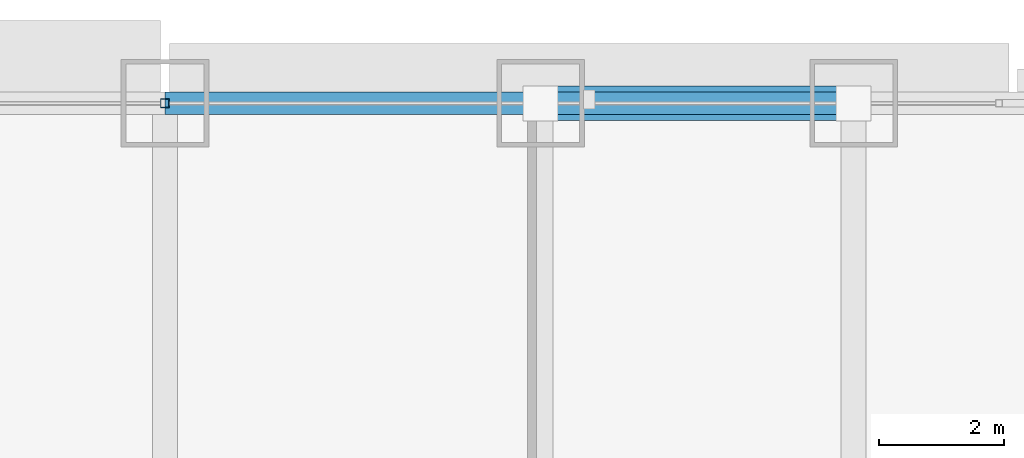
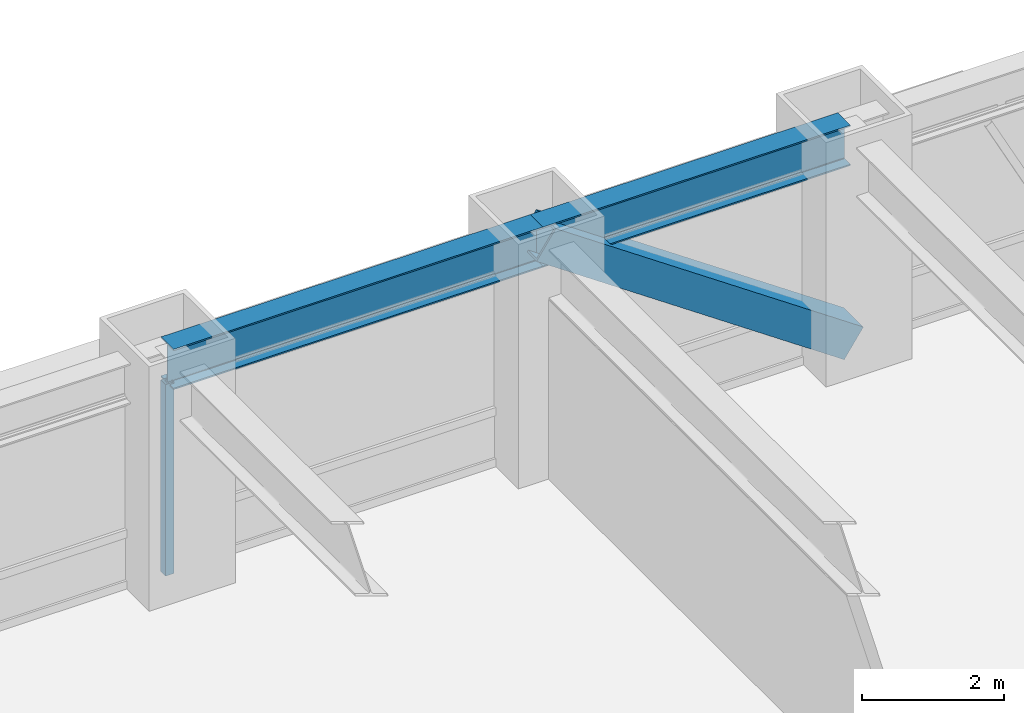
# One storey, part 19 of 32: 2 beams, 2 members, 1 element without a shape of its own.
"""IFC4 building model written with IfcOpenShell, lengths in metres."""

from ifc_helpers import new_model, si_unit, direction, frame, origin, origin_2d, place, context, subcontext, project, spatial, hollow_rectangle, i_section, extrude, source, transform, mapped, material, material_profile, profile_set, type_object, element, aggregate, save


model = new_model("IFC4")

# Units and contexts
model_context = context("Model", 3, precision=1e-05, world=origin(), true_north=direction((0.0, 1.0)))
body_context = subcontext(model_context, "Body", "Model", "MODEL_VIEW")
ifc_project = project(units=[si_unit("LENGTHUNIT", "METRE"), si_unit("AREAUNIT", "SQUARE_METRE"), si_unit("VOLUMEUNIT", "CUBIC_METRE"), si_unit("PLANEANGLEUNIT", "RADIAN"), si_unit("MASSUNIT", "GRAM", prefix="KILO")], contexts=[model_context])

# Site, building, storey
site_placement = place(None, origin())
site = spatial("IfcSite", under=ifc_project, at=site_placement, CompositionType="ELEMENT")
building_placement = place(site_placement, origin())
building = spatial("IfcBuilding", under=site, at=building_placement, Name="Khorayat Bourse Tower", CompositionType="ELEMENT")
storey_placement = place(building_placement, frame((0.0, 0.0, 70.39990234375)))
storey = spatial("IfcBuildingStorey", under=building, at=storey_placement, Name="L15", CompositionType="ELEMENT", Elevation=70.39990234375)

# Beams
ifc_material_1 = material(Name="Steel ASTM A992 Grade 50", Category="steel")
ifc_material_profile_1 = material_profile(ifc_material_1, i_section(OverallWidth=0.35498046875, OverallDepth=0.695068359375, WebThickness=0.015380859375, FlangeThickness=0.02490234375, FilletRadius=0.01806640625, at=origin_2d()), Name="W690X217")
ifc_profile_set_1 = profile_set([ifc_material_profile_1], Name="Steel ASTM A992 Grade 50")
beam_type = type_object("IfcBeamType", Name="BM-SPAN-690", PredefinedType="SPANDREL", material=ifc_profile_set_1)
shared_shape_1 = source(origin(), body_context, "Body", "SweptSolid", [
    extrude(i_section(OverallWidth=0.35498046875, OverallDepth=0.695068359375, WebThickness=0.015380859375, FlangeThickness=0.02490234375, FilletRadius=0.01806640625, at=origin_2d()), origin(), (0.0, 0.0, 1.0), 5.0),
])
beam_1_placement = place(storey_placement, frame((6.0, 32.0, 3.592529296875), z_axis=(1.0, 0.0, 0.0), x_axis=(0.0, 1.0, 0.0)))
element("IfcBeam", 1, at=beam_1_placement, inside=storey, type_object=beam_type, Name="L15 BM-SPAN-690 BM-L15-SPN-046", PredefinedType="SPANDREL", context=body_context, shape_type="MappedRepresentation", body=[
    mapped(shared_shape_1, transform((0.0, 0.0, 0.0), scale=1.0)),
])
shared_shape_2 = source(origin(), body_context, "Body", "SweptSolid", [
    extrude(i_section(OverallWidth=0.35498046875, OverallDepth=0.695068359375, WebThickness=0.015380859375, FlangeThickness=0.02490234375, FilletRadius=0.01806640625, at=origin_2d()), origin(), (0.0, 0.0, 1.0), 6.0),
])
beam_2_placement = place(storey_placement, frame((0.0, 32.0, 3.592529296875), z_axis=(1.0, 0.0, 0.0), x_axis=(0.0, 1.0, 0.0)))
element("IfcBeam", 2, at=beam_2_placement, inside=storey, type_object=beam_type, Name="L15 BM-SPAN-690 BM-L15-SPN-047", PredefinedType="SPANDREL", context=body_context, shape_type="MappedRepresentation", body=[
    mapped(shared_shape_2, transform((0.0, 0.0, 0.0), scale=1.0)),
])

# Member
ifc_material_2 = material(Name="Steel EN 10025-4 S460M", Category="steel")
ifc_material_profile_2 = material_profile(ifc_material_2, hollow_rectangle(XDim=0.550048828125, YDim=0.550048828125, WallThickness=0.031982421875, at=origin_2d()), Name="HSS 550x550x32")
ifc_profile_set_2 = profile_set([ifc_material_profile_2], Name="Steel EN 10025-4 S460M")
member_type_1 = type_object("IfcMemberType", Name="MBR-TUBE-550", PredefinedType="BRACE", material=ifc_profile_set_2)
shared_shape_3 = source(origin(), body_context, "Body", "SweptSolid", [
    extrude(hollow_rectangle(XDim=0.550048828125, YDim=0.550048828125, WallThickness=0.031982421875, at=origin_2d()), origin(), (0.0, 0.0, 1.0), 6.069091796875),
])
member_1_placement = place(storey_placement, frame((6.0, 32.0, 3.690185546875), z_axis=(0.823835295996, 0.0, -0.566829255659), x_axis=(0.0, 1.0, 0.0)))
element("IfcMember", 3, at=member_1_placement, inside=storey, type_object=member_type_1, Name="L15 Perimeter Tube Brace 04", PredefinedType="BRACE", context=body_context, shape_type="MappedRepresentation", body=[
    mapped(shared_shape_3, transform((0.0, 0.0, 0.0), scale=1.0)),
])

# Curtain wall, member
ifc_material_3 = material(Name="Aluminium EN AW-6063 T6", Category="aluminium")
curtain_wall_type = type_object("IfcCurtainWallType", Name="CW-SYS-02", PredefinedType="NOTDEFINED", material=ifc_material_3)
curtain_wall_placement = place(storey_placement, origin())
curtain_wall = element("IfcCurtainWall", 4, at=curtain_wall_placement, inside=storey, type_object=curtain_wall_type, Name="L15 Curtain Wall CW-L15-N1", PredefinedType="NOTDEFINED")
ifc_material_profile_3 = material_profile(ifc_material_3, hollow_rectangle(XDim=0.139892578125, YDim=0.139892578125, WallThickness=0.006103515625, at=origin_2d()), Name="ALU 140x140x6")
ifc_profile_set_3 = profile_set([ifc_material_profile_3], Name="Aluminium EN AW-6063 T6")
member_type_2 = type_object("IfcMemberType", Name="CWM-VERT-140", PredefinedType="MULLION", material=ifc_profile_set_3)
shared_shape_4 = source(origin(), body_context, "Body", "SweptSolid", [
    extrude(hollow_rectangle(XDim=0.139892578125, YDim=0.139892578125, WallThickness=0.006103515625, at=origin_2d()), origin(), (0.0, 0.0, 1.0), 3.2900390625),
])
member_2_placement = place(storey_placement, frame((0.0, 32.0, 0.0), z_axis=(0.0, 0.0, 1.0), x_axis=(0.0, 1.0, 0.0)))
member_2 = element("IfcMember", 5, at=member_2_placement, type_object=member_type_2, Name="CW-L15-N1 Vertical Mullion 2", PredefinedType="MULLION", context=body_context, shape_type="MappedRepresentation", body=[
    mapped(shared_shape_4, transform((0.0, 0.0, 0.0), scale=1.0)),
])
aggregate(curtain_wall, [member_2])

save(model, "model.ifc")
